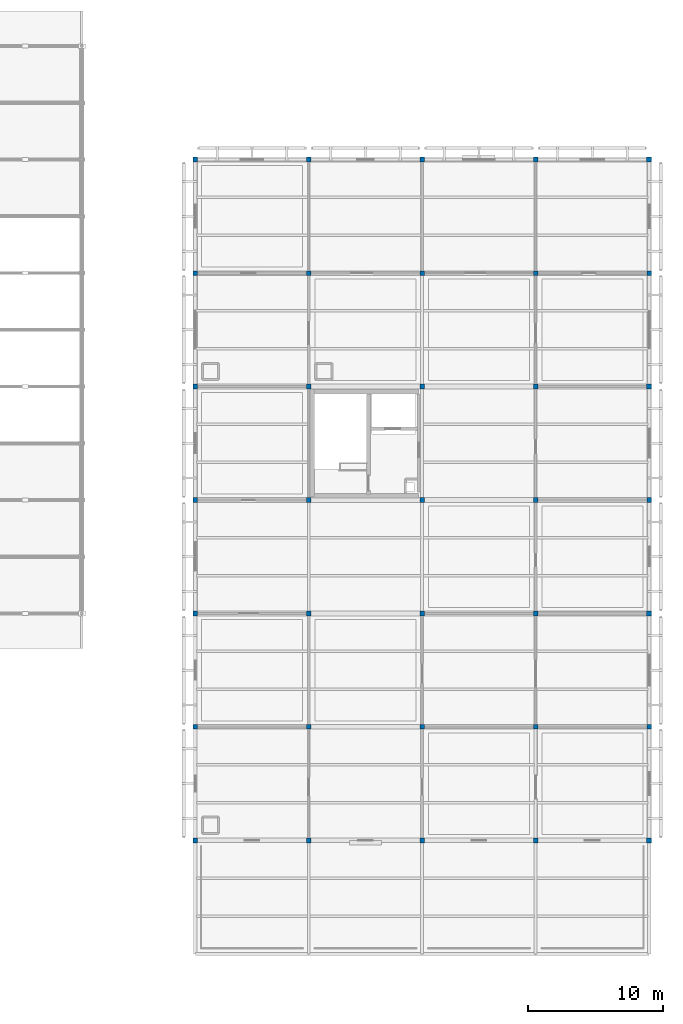
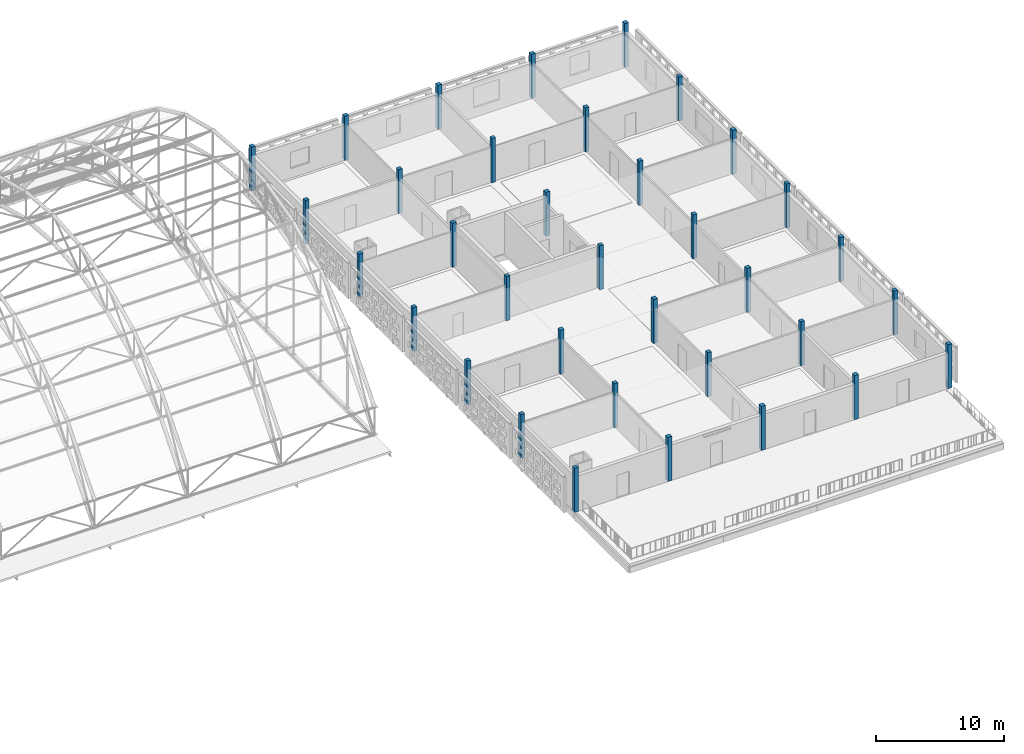
# One storey, part 3 of 103: 35 columns.
"""IFC4 building model written with IfcOpenShell, lengths in metres."""

from ifc_helpers import new_model, si_unit, direction, frame, origin, origin_2d, place, context, subcontext, project, spatial, rectangle, extrude, material, material_profile, profile_set, type_object, element, save


model = new_model("IFC4")

# Units and contexts
model_context = context("Model", 3, precision=1e-05, world=origin(), true_north=direction((0.0, 1.0)))
body_context = subcontext(model_context, "Body", "Model", "MODEL_VIEW")
ifc_project = project(units=[si_unit("LENGTHUNIT", "METRE"), si_unit("AREAUNIT", "SQUARE_METRE"), si_unit("VOLUMEUNIT", "CUBIC_METRE"), si_unit("PLANEANGLEUNIT", "RADIAN"), si_unit("MASSUNIT", "GRAM", prefix="KILO")], contexts=[model_context])

# Site, building, storey
site_placement = place(None, origin())
site = spatial("IfcSite", under=ifc_project, at=site_placement, CompositionType="ELEMENT")
building_placement = place(site_placement, origin())
building = spatial("IfcBuilding", under=site, at=building_placement, Name="Varnapada Polytechnic", CompositionType="ELEMENT")
storey_placement = place(building_placement, frame((0.0, 0.0, 18.0)))
storey = spatial("IfcBuildingStorey", under=building, at=storey_placement, Name="L04", CompositionType="ELEMENT", Elevation=18.0)

# Columns
ifc_material = material(Name="Glulam GL32h", Category="wood")
ifc_material_profile_1 = material_profile(ifc_material, rectangle(XDim=0.360107421875, YDim=0.360107421875, at=origin_2d()), Name="GL 360x360")
ifc_profile_set_1 = profile_set([ifc_material_profile_1], Name="Glulam GL32h")
column_type_1 = type_object("IfcColumnType", Name="Column C-14 (GL 360x360)", PredefinedType="COLUMN", material=ifc_profile_set_1)
for number, where, z_axis, x_axis, name in (
    (1, (142.800048828125, 67.199951171875, 0.0), (0.0, 0.0, 1.0), (1.0, 0.0, 0.0), "L04 column 18/9"),
    (2, (142.800048828125, 84.0, 0.0), (0.0, 0.0, 1.0), (1.0, 0.0, 0.0), "L04 column 18/11"),
    (3, (142.800048828125, 100.800048828125, 0.0), (0.0, 0.0, 1.0), (1.0, 0.0, 0.0), "L04 column 18/13"),
    (4, (142.800048828125, 117.60009765625, 0.0), (0.0, 0.0, 1.0), (1.0, 0.0, 0.0), "L04 column 18/15"),
    (5, (151.199951171875, 67.199951171875, 0.0), (0.0, 0.0, 1.0), (1.0, 0.0, 0.0), "L04 column 19/9"),
    (6, (151.199951171875, 84.0, 0.0), (0.0, 0.0, 1.0), (1.0, 0.0, 0.0), "L04 column 19/11"),
    (7, (151.199951171875, 100.800048828125, 0.0), (0.0, 0.0, 1.0), (1.0, 0.0, 0.0), "L04 column 19/13"),
    (8, (151.199951171875, 117.60009765625, 0.0), (0.0, 0.0, 1.0), (1.0, 0.0, 0.0), "L04 column 19/15"),
    (9, (159.60009765625, 67.199951171875, 0.0), (0.0, 0.0, 1.0), (1.0, 0.0, 0.0), "L04 column 20/9"),
    (10, (159.60009765625, 84.0, 0.0), (0.0, 0.0, 1.0), (1.0, 0.0, 0.0), "L04 column 20/11"),
    (11, (159.60009765625, 100.800048828125, 0.0), (0.0, 0.0, 1.0), (1.0, 0.0, 0.0), "L04 column 20/13"),
    (12, (159.60009765625, 117.60009765625, 0.0), (0.0, 0.0, 1.0), (1.0, 0.0, 0.0), "L04 column 20/15"),
    (13, (168.0, 67.199951171875, 0.0), (0.0, 0.0, 1.0), (1.0, 0.0, 0.0), "L04 column 21/9"),
    (14, (168.0, 84.0, 0.0), (0.0, 0.0, 1.0), (1.0, 0.0, 0.0), "L04 column 21/11"),
    (15, (168.0, 100.800048828125, 0.0), (0.0, 0.0, 1.0), (1.0, 0.0, 0.0), "L04 column 21/13"),
    (16, (168.0, 117.60009765625, 0.0), (0.0, 0.0, 1.0), (1.0, 0.0, 0.0), "L04 column 21/15"),
    (17, (176.39990234375, 67.199951171875, 0.0), (0.0, 0.0, 1.0), (1.0, 0.0, 0.0), "L04 column 22/9"),
    (18, (176.39990234375, 84.0, 0.0), (0.0, 0.0, 1.0), (1.0, 0.0, 0.0), "L04 column 22/11"),
    (19, (176.39990234375, 100.800048828125, 0.0), (0.0, 0.0, 1.0), (1.0, 0.0, 0.0), "L04 column 22/13"),
    (20, (176.39990234375, 117.60009765625, 0.0), (0.0, 0.0, 1.0), (1.0, 0.0, 0.0), "L04 column 22/15"),
):
    element("IfcColumn", number, at=place(storey_placement, frame(where, z_axis=z_axis, x_axis=x_axis)), inside=storey, type_object=column_type_1, Name=name, PredefinedType="COLUMN", context=body_context, shape_type="SweptSolid", body=[
        extrude(rectangle(XDim=0.360107421875, YDim=0.360107421875, at=origin_2d()), origin(), (0.0, 0.0, 1.0), 4.199951171875),
    ])
ifc_material_profile_2 = material_profile(ifc_material, rectangle(XDim=0.340087890625, YDim=0.340087890625, at=origin_2d()), Name="GL 340x340")
ifc_profile_set_2 = profile_set([ifc_material_profile_2], Name="Glulam GL32h")
column_type_2 = type_object("IfcColumnType", Name="Column C-27 (GL 340x340)", PredefinedType="COLUMN", material=ifc_profile_set_2)
for number, where, z_axis, x_axis, name in (
    (21, (142.800048828125, 75.60009765625, 0.0), (0.0, 0.0, 1.0), (1.0, 0.0, 0.0), "L04 column 18/10"),
    (22, (142.800048828125, 92.39990234375, 0.0), (0.0, 0.0, 1.0), (1.0, 0.0, 0.0), "L04 column 18/12"),
    (23, (142.800048828125, 109.199951171875, 0.0), (0.0, 0.0, 1.0), (1.0, 0.0, 0.0), "L04 column 18/14"),
    (24, (151.199951171875, 75.60009765625, 0.0), (0.0, 0.0, 1.0), (1.0, 0.0, 0.0), "L04 column 19/10"),
    (25, (151.199951171875, 92.39990234375, 0.0), (0.0, 0.0, 1.0), (1.0, 0.0, 0.0), "L04 column 19/12"),
    (26, (151.199951171875, 109.199951171875, 0.0), (0.0, 0.0, 1.0), (1.0, 0.0, 0.0), "L04 column 19/14"),
    (27, (159.60009765625, 75.60009765625, 0.0), (0.0, 0.0, 1.0), (1.0, 0.0, 0.0), "L04 column 20/10"),
    (28, (159.60009765625, 92.39990234375, 0.0), (0.0, 0.0, 1.0), (1.0, 0.0, 0.0), "L04 column 20/12"),
    (29, (159.60009765625, 109.199951171875, 0.0), (0.0, 0.0, 1.0), (1.0, 0.0, 0.0), "L04 column 20/14"),
    (30, (168.0, 75.60009765625, 0.0), (0.0, 0.0, 1.0), (1.0, 0.0, 0.0), "L04 column 21/10"),
    (31, (168.0, 92.39990234375, 0.0), (0.0, 0.0, 1.0), (1.0, 0.0, 0.0), "L04 column 21/12"),
    (32, (168.0, 109.199951171875, 0.0), (0.0, 0.0, 1.0), (1.0, 0.0, 0.0), "L04 column 21/14"),
    (33, (176.39990234375, 75.60009765625, 0.0), (0.0, 0.0, 1.0), (1.0, 0.0, 0.0), "L04 column 22/10"),
    (34, (176.39990234375, 92.39990234375, 0.0), (0.0, 0.0, 1.0), (1.0, 0.0, 0.0), "L04 column 22/12"),
    (35, (176.39990234375, 109.199951171875, 0.0), (0.0, 0.0, 1.0), (1.0, 0.0, 0.0), "L04 column 22/14"),
):
    element("IfcColumn", number, at=place(storey_placement, frame(where, z_axis=z_axis, x_axis=x_axis)), inside=storey, type_object=column_type_2, Name=name, PredefinedType="COLUMN", context=body_context, shape_type="SweptSolid", body=[
        extrude(rectangle(XDim=0.340087890625, YDim=0.340087890625, at=origin_2d()), origin(), (0.0, 0.0, 1.0), 4.199951171875),
    ])

save(model, "model.ifc")
